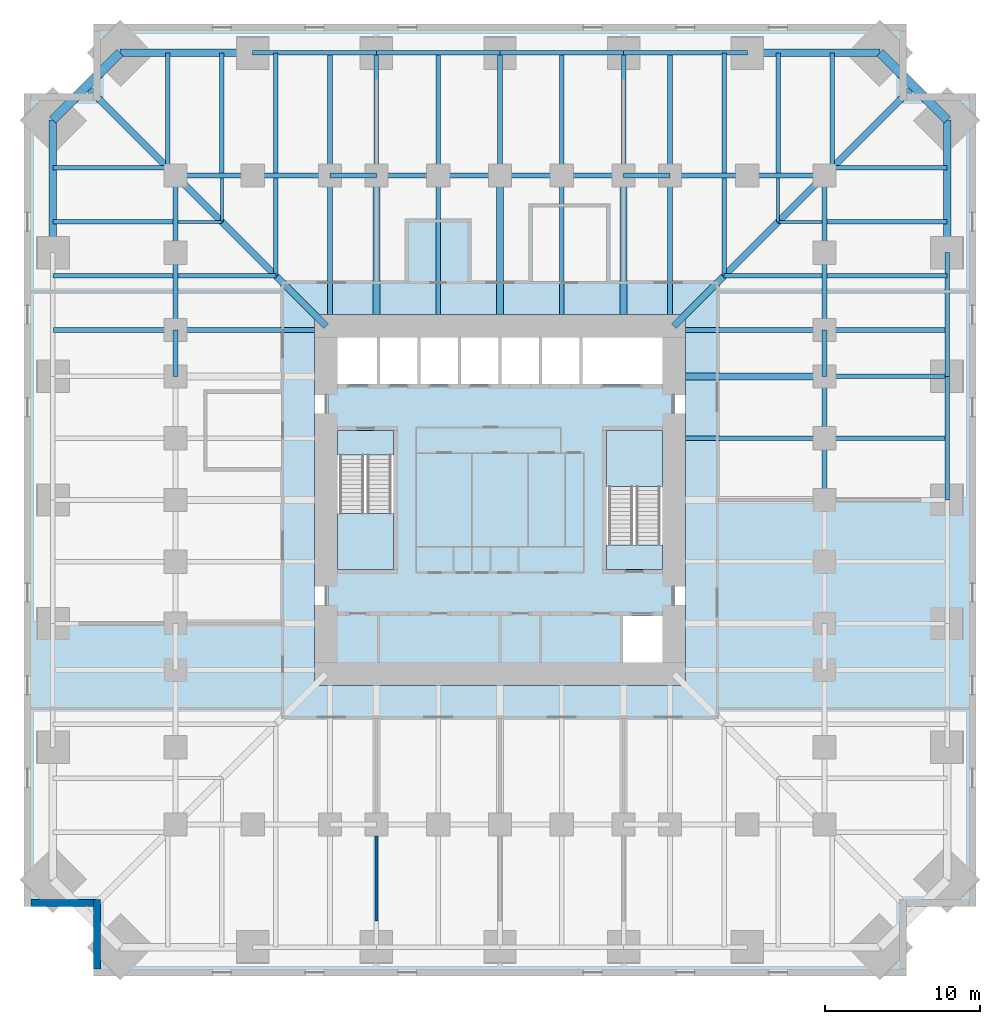
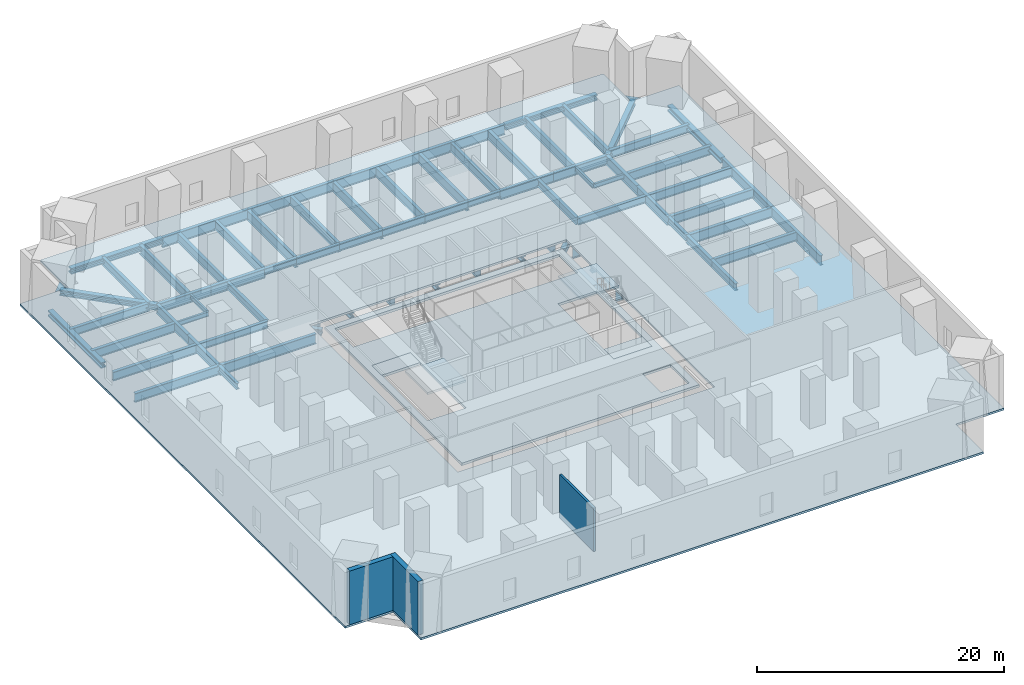
# One storey, part 2 of 8: 76 beams, 6 slabs, 3 walls, 2 elements without a shape of their own.
"""IFC4 building model written with IfcOpenShell, lengths in metres."""

from ifc_helpers import new_model, si_unit, direction, frame, frame_2d, origin, origin_2d, place, context, subcontext, project, spatial, polyline, rectangle, hollow_rectangle, i_section, outline, extrude, material, layer, layer_set, material_profile, profile_set, type_object, element, aggregate, save


model = new_model("IFC4")

# Units and contexts
model_context = context("Model", 3, precision=1e-05, world=origin(), true_north=direction((0.0, 1.0)))
body_context = subcontext(model_context, "Body", "Model", "MODEL_VIEW")
ifc_project = project(units=[si_unit("LENGTHUNIT", "METRE"), si_unit("AREAUNIT", "SQUARE_METRE"), si_unit("VOLUMEUNIT", "CUBIC_METRE"), si_unit("PLANEANGLEUNIT", "RADIAN"), si_unit("MASSUNIT", "GRAM", prefix="KILO")], contexts=[model_context])

# Site, building, storey
site_placement = place(None, origin())
site = spatial("IfcSite", under=ifc_project, at=site_placement, CompositionType="ELEMENT")
building_placement = place(site_placement, origin())
building = spatial("IfcBuilding", under=site, at=building_placement, Name="Peilmerk Tower", CompositionType="ELEMENT")
storey_placement = place(building_placement, frame((0.0, 0.0, 48.5)))
storey = spatial("IfcBuildingStorey", under=building, at=storey_placement, Name="L09", CompositionType="ELEMENT", Elevation=48.5)

# Beams
ifc_material_1 = material(Name="Steel S355", Category="steel")
ifc_material_profile_1 = material_profile(ifc_material_1, i_section(OverallWidth=0.300048828125, OverallDepth=1.0, WebThickness=0.01904296875, FlangeThickness=0.035888671875, at=origin_2d()), Name="HEB 1000")
ifc_profile_set_1 = profile_set([ifc_material_profile_1], Name="Steel S355")
beam_type_1 = type_object("IfcBeamType", Name="B13 HEB 1000 edge beam", PredefinedType="SPANDREL", material=ifc_profile_set_1)
for number, where, z_axis, x_axis, name in (
    (1, (16.0, 28.941162109375, -0.699951171875), (-1.0, 0.0, 0.0), (0.0, -1.0, 0.0), "Edge beam L09"),
    (2, (8.0, 28.941162109375, -0.699951171875), (-1.0, 0.0, 0.0), (0.0, -1.0, 0.0), "Edge beam L09"),
    (3, (0.0, 28.941162109375, -0.699951171875), (-1.0, 0.0, 0.0), (0.0, -1.0, 0.0), "Edge beam L09"),
    (4, (-8.0, 28.941162109375, -0.699951171875), (-1.0, 0.0, 0.0), (0.0, -1.0, 0.0), "Edge beam L09"),
    (5, (28.941162109375, 0.0, -0.699951171875), (0.0, 1.0, 0.0), (-1.0, 0.0, 0.0), "Edge beam L09"),
    (6, (28.941162109375, 8.0, -0.699951171875), (0.0, 1.0, 0.0), (-1.0, 0.0, 0.0), "Edge beam L09"),
):
    element("IfcBeam", number, at=place(storey_placement, frame(where, z_axis=z_axis, x_axis=x_axis)), inside=storey, type_object=beam_type_1, Name=name, PredefinedType="SPANDREL", context=body_context, shape_type="SweptSolid", body=[
        extrude(i_section(OverallWidth=0.300048828125, OverallDepth=1.0, WebThickness=0.01904296875, FlangeThickness=0.035888671875, at=origin_2d()), origin(), (0.0, 0.0, 1.0), 8.0),
    ])
ifc_material_profile_2 = material_profile(ifc_material_1, i_section(OverallWidth=0.300048828125, OverallDepth=0.68994140625, WebThickness=0.014404296875, FlangeThickness=0.027099609375, at=origin_2d()), Name="HEA 700")
ifc_profile_set_2 = profile_set([ifc_material_profile_2], Name="Steel S355")
beam_type_2 = type_object("IfcBeamType", Name="B16 HEA 700 floor beam", PredefinedType="BEAM", material=ifc_profile_set_2)
for number, where, z_axis, x_axis, name in (
    (7, (14.5, 14.5, -0.544921875), (0.0, 1.0, 0.0), (-1.0, 0.0, 0.0), "Floor beam L09"),
    (8, (14.5, 14.5, -0.544921875), (1.0, 0.0, 0.0), (0.0, 1.0, 0.0), "Floor beam L09"),
    (9, (-14.5, 14.5, -0.544921875), (0.0, 1.0, 0.0), (-1.0, 0.0, 0.0), "Floor beam L09"),
    (10, (-14.5, 14.5, -0.544921875), (-1.0, 0.0, 0.0), (0.0, -1.0, 0.0), "Floor beam L09"),
):
    element("IfcBeam", number, at=place(storey_placement, frame(where, z_axis=z_axis, x_axis=x_axis)), inside=storey, type_object=beam_type_2, Name=name, PredefinedType="BEAM", context=body_context, shape_type="SweptSolid", body=[
        extrude(i_section(OverallWidth=0.300048828125, OverallDepth=0.68994140625, WebThickness=0.014404296875, FlangeThickness=0.027099609375, at=origin_2d()), origin(), (0.0, 0.0, 1.0), 6.34912109375),
    ])
ifc_material_profile_3 = material_profile(ifc_material_1, i_section(OverallWidth=0.302001953125, OverallDepth=0.909912109375, WebThickness=0.02099609375, FlangeThickness=0.0400390625, at=origin_2d()), Name="HEM 900")
ifc_profile_set_3 = profile_set([ifc_material_profile_3], Name="Steel S355")
beam_type_3 = type_object("IfcBeamType", Name="B18 HEM 900 ring girder", PredefinedType="BEAM", material=ifc_profile_set_3)
for number, where, z_axis, x_axis, name in (
    (11, (21.0, 21.0, -0.655029296875), (-1.0, 0.0, 0.0), (0.0, -1.0, 0.0), "Ring girder L09"),
    (12, (16.0, 21.0, -0.655029296875), (-1.0, 0.0, 0.0), (0.0, -1.0, 0.0), "Ring girder L09"),
    (13, (-11.0, 21.0, -0.655029296875), (-1.0, 0.0, 0.0), (0.0, -1.0, 0.0), "Ring girder L09"),
    (14, (-16.0, 21.0, -0.655029296875), (-1.0, 0.0, 0.0), (0.0, -1.0, 0.0), "Ring girder L09"),
    (15, (21.0, 11.0, -0.655029296875), (0.0, 1.0, 0.0), (-1.0, 0.0, 0.0), "Ring girder L09"),
    (16, (21.0, 16.0, -0.655029296875), (0.0, 1.0, 0.0), (-1.0, 0.0, 0.0), "Ring girder L09"),
    (17, (-21.0, 21.0, -0.655029296875), (0.0, -1.0, 0.0), (1.0, 0.0, 0.0), "Ring girder L09"),
    (18, (-21.0, 16.0, -0.655029296875), (0.0, -1.0, 0.0), (1.0, 0.0, 0.0), "Ring girder L09"),
):
    element("IfcBeam", number, at=place(storey_placement, frame(where, z_axis=z_axis, x_axis=x_axis)), inside=storey, type_object=beam_type_3, Name=name, PredefinedType="BEAM", context=body_context, shape_type="SweptSolid", body=[
        extrude(i_section(OverallWidth=0.302001953125, OverallDepth=0.909912109375, WebThickness=0.02099609375, FlangeThickness=0.0400390625, at=origin_2d()), origin(), (0.0, 0.0, 1.0), 5.0),
    ])
ifc_material_profile_4 = material_profile(ifc_material_1, i_section(OverallWidth=0.303955078125, OverallDepth=0.716064453125, WebThickness=0.02099609375, FlangeThickness=0.0400390625, at=origin_2d()), Name="HEM 700")
ifc_profile_set_4 = profile_set([ifc_material_profile_4], Name="Steel S355")
beam_type_4 = type_object("IfcBeamType", Name="B19 HEM 700 ring girder", PredefinedType="BEAM", material=ifc_profile_set_4)
for number, where, z_axis, x_axis, name in (
    (19, (8.0, 21.0, -0.55810546875), (-1.0, 0.0, 0.0), (0.0, -1.0, 0.0), "Ring girder L09"),
    (20, (4.0, 21.0, -0.55810546875), (-1.0, 0.0, 0.0), (0.0, -1.0, 0.0), "Ring girder L09"),
    (21, (0.0, 21.0, -0.55810546875), (-1.0, 0.0, 0.0), (0.0, -1.0, 0.0), "Ring girder L09"),
    (22, (-4.0, 21.0, -0.55810546875), (-1.0, 0.0, 0.0), (0.0, -1.0, 0.0), "Ring girder L09"),
    (23, (21.0, 0.0, -0.55810546875), (0.0, 1.0, 0.0), (-1.0, 0.0, 0.0), "Ring girder L09"),
    (24, (21.0, 4.0, -0.55810546875), (0.0, 1.0, 0.0), (-1.0, 0.0, 0.0), "Ring girder L09"),
):
    element("IfcBeam", number, at=place(storey_placement, frame(where, z_axis=z_axis, x_axis=x_axis)), inside=storey, type_object=beam_type_4, Name=name, PredefinedType="BEAM", context=body_context, shape_type="SweptSolid", body=[
        extrude(i_section(OverallWidth=0.303955078125, OverallDepth=0.716064453125, WebThickness=0.02099609375, FlangeThickness=0.0400390625, at=origin_2d()), origin(), (0.0, 0.0, 1.0), 4.0),
    ])
ifc_material_2 = material(Name="Steel S460", Category="steel")
ifc_material_profile_5 = material_profile(ifc_material_2, hollow_rectangle(XDim=0.60009765625, YDim=0.60009765625, WallThickness=0.06005859375, at=origin_2d()), Name="BOX 600x600x60")
ifc_profile_set_5 = profile_set([ifc_material_profile_5], Name="Steel S460")
beam_type_5 = type_object("IfcBeamType", Name="B20 BOX 600x600x60 notch beam", PredefinedType="SPANDREL", material=ifc_profile_set_5)
for number, where, z_axis, x_axis, name in (
    (25, (24.591064453125, 28.941162109375, -0.5), (0.707106781187, -0.707106781187, 0.0), (0.707106781187, 0.707106781187, 0.0), "Notch beam L09"),
    (26, (-28.941162109375, 24.591064453125, -0.5), (0.707106781187, 0.707106781187, 0.0), (-0.707106781187, 0.707106781187, 0.0), "Notch beam L09"),
):
    element("IfcBeam", number, at=place(storey_placement, frame(where, z_axis=z_axis, x_axis=x_axis)), inside=storey, type_object=beam_type_5, Name=name, PredefinedType="SPANDREL", context=body_context, shape_type="SweptSolid", body=[
        extrude(hollow_rectangle(XDim=0.60009765625, YDim=0.60009765625, WallThickness=0.06005859375, at=origin_2d()), origin(), (0.0, 0.0, 1.0), 6.15185546875),
    ])
ifc_material_profile_6 = material_profile(ifc_material_1, i_section(OverallWidth=0.18994140625, OverallDepth=0.449951171875, WebThickness=0.009521484375, FlangeThickness=0.0146484375, at=origin_2d()), Name="IPE 450")
ifc_profile_set_6 = profile_set([ifc_material_profile_6], Name="Steel S355")
beam_type_6 = type_object("IfcBeamType", Name="B21 IPE 450 floor beam", PredefinedType="BEAM", material=ifc_profile_set_6)
for number, where, z_axis, x_axis, name in (
    (27, (18.0, 18.0, -0.425048828125), (0.0, 1.0, 0.0), (-1.0, 0.0, 0.0), "Floor beam L09"),
    (28, (18.0, 18.0, -0.425048828125), (1.0, 0.0, 0.0), (0.0, 1.0, 0.0), "Floor beam L09"),
    (29, (-18.0, 18.0, -0.425048828125), (0.0, 1.0, 0.0), (-1.0, 0.0, 0.0), "Floor beam L09"),
    (30, (-18.0, 18.0, -0.425048828125), (-1.0, 0.0, 0.0), (0.0, -1.0, 0.0), "Floor beam L09"),
):
    element("IfcBeam", number, at=place(storey_placement, frame(where, z_axis=z_axis, x_axis=x_axis)), inside=storey, type_object=beam_type_6, Name=name, PredefinedType="BEAM", context=body_context, shape_type="SweptSolid", body=[
        extrude(i_section(OverallWidth=0.18994140625, OverallDepth=0.449951171875, WebThickness=0.009521484375, FlangeThickness=0.0146484375, at=origin_2d()), origin(), (0.0, 0.0, 1.0), 2.84912109375),
    ])
ifc_material_profile_7 = material_profile(ifc_material_1, i_section(OverallWidth=0.4541015625, OverallDepth=0.569091796875, WebThickness=0.077880859375, FlangeThickness=0.125, at=origin_2d()), Name="HD 400x1086")
ifc_profile_set_7 = profile_set([ifc_material_profile_7], Name="Steel S355")
beam_type_7 = type_object("IfcBeamType", Name="B23 HD 400x1086 edge beam", PredefinedType="SPANDREL", material=ifc_profile_set_7)
for number, where, z_axis, x_axis, name in (
    (31, (24.591064453125, 28.941162109375, -0.484619140625), (-1.0, 0.0, 0.0), (0.0, -1.0, 0.0), "Edge beam L09"),
    (32, (-16.0, 28.941162109375, -0.484619140625), (-1.0, 0.0, 0.0), (0.0, -1.0, 0.0), "Edge beam L09"),
    (33, (28.941162109375, 16.0, -0.484619140625), (0.0, 1.0, 0.0), (-1.0, 0.0, 0.0), "Edge beam L09"),
    (34, (-28.941162109375, 24.591064453125, -0.484619140625), (0.0, -1.0, 0.0), (1.0, 0.0, 0.0), "Edge beam L09"),
):
    element("IfcBeam", number, at=place(storey_placement, frame(where, z_axis=z_axis, x_axis=x_axis)), inside=storey, type_object=beam_type_7, Name=name, PredefinedType="SPANDREL", context=body_context, shape_type="SweptSolid", body=[
        extrude(i_section(OverallWidth=0.4541015625, OverallDepth=0.569091796875, WebThickness=0.077880859375, FlangeThickness=0.125, at=origin_2d()), origin(), (0.0, 0.0, 1.0), 8.591064453125),
    ])
ifc_material_profile_8 = material_profile(ifc_material_1, i_section(OverallWidth=0.302001953125, OverallDepth=1.008056640625, WebThickness=0.02099609375, FlangeThickness=0.0400390625, at=origin_2d()), Name="HEM 1000")
ifc_profile_set_8 = profile_set([ifc_material_profile_8], Name="Steel S355")
beam_type_8 = type_object("IfcBeamType", Name="B24 HEM 1000 floor girder", PredefinedType="BEAM", material=ifc_profile_set_8)
for number, where, z_axis, x_axis, name in (
    (35, (8.0, 21.0, -0.7041015625), (0.0, 1.0, 0.0), (-1.0, 0.0, 0.0), "Floor girder L09"),
    (36, (0.0, 21.0, -0.7041015625), (0.0, 1.0, 0.0), (-1.0, 0.0, 0.0), "Floor girder L09"),
    (37, (-8.0, 21.0, -0.7041015625), (0.0, 1.0, 0.0), (-1.0, 0.0, 0.0), "Floor girder L09"),
    (38, (21.0, 8.0, -0.7041015625), (1.0, 0.0, 0.0), (0.0, 1.0, 0.0), "Floor girder L09"),
):
    element("IfcBeam", number, at=place(storey_placement, frame(where, z_axis=z_axis, x_axis=x_axis)), inside=storey, type_object=beam_type_8, Name=name, PredefinedType="BEAM", context=body_context, shape_type="SweptSolid", body=[
        extrude(i_section(OverallWidth=0.302001953125, OverallDepth=1.008056640625, WebThickness=0.02099609375, FlangeThickness=0.0400390625, at=origin_2d()), origin(), (0.0, 0.0, 1.0), 7.941162109375),
    ])
ifc_material_profile_9 = material_profile(ifc_material_1, i_section(OverallWidth=0.300048828125, OverallDepth=0.7900390625, WebThickness=0.014892578125, FlangeThickness=0.028076171875, at=origin_2d()), Name="HEA 800")
ifc_profile_set_9 = profile_set([ifc_material_profile_9], Name="Steel S355")
beam_type_9 = type_object("IfcBeamType", Name="B3 HEA 800 floor beam", PredefinedType="BEAM", material=ifc_profile_set_9)
for number, where, z_axis, x_axis, name in (
    (39, (21.5, 21.5, -0.594970703125), (0.0, 1.0, 0.0), (-1.0, 0.0, 0.0), "Floor beam L09"),
    (40, (21.5, 21.5, -0.594970703125), (1.0, 0.0, 0.0), (0.0, 1.0, 0.0), "Floor beam L09"),
    (41, (-21.5, 21.5, -0.594970703125), (0.0, 1.0, 0.0), (-1.0, 0.0, 0.0), "Floor beam L09"),
    (42, (-21.5, 21.5, -0.594970703125), (-1.0, 0.0, 0.0), (0.0, -1.0, 0.0), "Floor beam L09"),
):
    element("IfcBeam", number, at=place(storey_placement, frame(where, z_axis=z_axis, x_axis=x_axis)), inside=storey, type_object=beam_type_9, Name=name, PredefinedType="BEAM", context=body_context, shape_type="SweptSolid", body=[
        extrude(i_section(OverallWidth=0.300048828125, OverallDepth=0.7900390625, WebThickness=0.014892578125, FlangeThickness=0.028076171875, at=origin_2d()), origin(), (0.0, 0.0, 1.0), 7.441162109375),
    ])
ifc_material_profile_10 = material_profile(ifc_material_1, i_section(OverallWidth=0.300048828125, OverallDepth=0.889892578125, WebThickness=0.01611328125, FlangeThickness=0.030029296875, at=origin_2d()), Name="HEA 900")
ifc_profile_set_10 = profile_set([ifc_material_profile_10], Name="Steel S355")
beam_type_10 = type_object("IfcBeamType", Name="B4 HEA 900 floor beam", PredefinedType="BEAM", material=ifc_profile_set_10)
for number, where, z_axis, x_axis, name in (
    (43, (11.0, 21.0, -0.64501953125), (0.0, 1.0, 0.0), (-1.0, 0.0, 0.0), "Floor beam L09"),
    (44, (4.0, 21.0, -0.64501953125), (0.0, 1.0, 0.0), (-1.0, 0.0, 0.0), "Floor beam L09"),
    (45, (-4.0, 21.0, -0.64501953125), (0.0, 1.0, 0.0), (-1.0, 0.0, 0.0), "Floor beam L09"),
    (46, (-11.0, 21.0, -0.64501953125), (0.0, 1.0, 0.0), (-1.0, 0.0, 0.0), "Floor beam L09"),
    (47, (21.0, 4.0, -0.64501953125), (1.0, 0.0, 0.0), (0.0, 1.0, 0.0), "Floor beam L09"),
    (48, (21.0, 11.0, -0.64501953125), (1.0, 0.0, 0.0), (0.0, 1.0, 0.0), "Floor beam L09"),
    (49, (-21.0, 11.0, -0.64501953125), (-1.0, 0.0, 0.0), (0.0, -1.0, 0.0), "Floor beam L09"),
):
    element("IfcBeam", number, at=place(storey_placement, frame(where, z_axis=z_axis, x_axis=x_axis)), inside=storey, type_object=beam_type_10, Name=name, PredefinedType="BEAM", context=body_context, shape_type="SweptSolid", body=[
        extrude(i_section(OverallWidth=0.300048828125, OverallDepth=0.889892578125, WebThickness=0.01611328125, FlangeThickness=0.030029296875, at=origin_2d()), origin(), (0.0, 0.0, 1.0), 7.941162109375),
    ])
for number, where, z_axis, x_axis, name in (
    (50, (14.5, 21.15087890625, -0.64501953125), (0.0, 1.0, 0.0), (-1.0, 0.0, 0.0), "Floor beam L09"),
    (51, (21.15087890625, 14.5, -0.64501953125), (1.0, 0.0, 0.0), (0.0, 1.0, 0.0), "Floor beam L09"),
    (52, (18.0, 21.15087890625, -0.64501953125), (0.0, 1.0, 0.0), (-1.0, 0.0, 0.0), "Floor beam L09"),
    (53, (21.15087890625, 18.0, -0.64501953125), (1.0, 0.0, 0.0), (0.0, 1.0, 0.0), "Floor beam L09"),
    (54, (-14.5, 21.15087890625, -0.64501953125), (0.0, 1.0, 0.0), (-1.0, 0.0, 0.0), "Floor beam L09"),
    (55, (-21.15087890625, 14.5, -0.64501953125), (-1.0, 0.0, 0.0), (0.0, -1.0, 0.0), "Floor beam L09"),
    (56, (-18.0, 21.15087890625, -0.64501953125), (0.0, 1.0, 0.0), (-1.0, 0.0, 0.0), "Floor beam L09"),
    (57, (-21.15087890625, 18.0, -0.64501953125), (-1.0, 0.0, 0.0), (0.0, -1.0, 0.0), "Floor beam L09"),
):
    element("IfcBeam", number, at=place(storey_placement, frame(where, z_axis=z_axis, x_axis=x_axis)), inside=storey, type_object=beam_type_10, Name=name, PredefinedType="BEAM", context=body_context, shape_type="SweptSolid", body=[
        extrude(i_section(OverallWidth=0.300048828125, OverallDepth=0.889892578125, WebThickness=0.01611328125, FlangeThickness=0.030029296875, at=origin_2d()), origin(), (0.0, 0.0, 1.0), 7.790283203125),
    ])
ifc_material_profile_11 = material_profile(ifc_material_1, i_section(OverallWidth=0.300048828125, OverallDepth=1.0, WebThickness=0.01904296875, FlangeThickness=0.035888671875, at=origin_2d()), Name="HEB 1000")
ifc_profile_set_11 = profile_set([ifc_material_profile_11], Name="Steel S355")
beam_type_11 = type_object("IfcBeamType", Name="B5 HEB 1000 floor girder", PredefinedType="BEAM", material=ifc_profile_set_11)
for number, where, z_axis, x_axis, name in (
    (58, (11.0, 12.0, -0.699951171875), (0.0, 1.0, 0.0), (-1.0, 0.0, 0.0), "Floor beam L09"),
    (59, (4.0, 12.0, -0.699951171875), (0.0, 1.0, 0.0), (-1.0, 0.0, 0.0), "Floor beam L09"),
    (60, (-4.0, 12.0, -0.699951171875), (0.0, 1.0, 0.0), (-1.0, 0.0, 0.0), "Floor beam L09"),
    (61, (-11.0, 12.0, -0.699951171875), (0.0, 1.0, 0.0), (-1.0, 0.0, 0.0), "Floor beam L09"),
    (62, (12.0, 4.0, -0.699951171875), (1.0, 0.0, 0.0), (0.0, 1.0, 0.0), "Floor beam L09"),
    (63, (12.0, 11.0, -0.699951171875), (1.0, 0.0, 0.0), (0.0, 1.0, 0.0), "Floor beam L09"),
    (64, (-12.0, 11.0, -0.699951171875), (-1.0, 0.0, 0.0), (0.0, -1.0, 0.0), "Floor beam L09"),
):
    element("IfcBeam", number, at=place(storey_placement, frame(where, z_axis=z_axis, x_axis=x_axis)), inside=storey, type_object=beam_type_11, Name=name, PredefinedType="BEAM", context=body_context, shape_type="SweptSolid", body=[
        extrude(i_section(OverallWidth=0.300048828125, OverallDepth=1.0, WebThickness=0.01904296875, FlangeThickness=0.035888671875, at=origin_2d()), origin(), (0.0, 0.0, 1.0), 9.0),
    ])
ifc_material_profile_12 = material_profile(ifc_material_1, i_section(OverallWidth=0.304931640625, OverallDepth=0.6201171875, WebThickness=0.02099609375, FlangeThickness=0.0400390625, at=origin_2d()), Name="HEM 600")
ifc_profile_set_12 = profile_set([ifc_material_profile_12], Name="Steel S355")
beam_type_12 = type_object("IfcBeamType", Name="B6 HEM 600 ring girder", PredefinedType="BEAM", material=ifc_profile_set_12)
for number, where, z_axis, x_axis, name in (
    (65, (11.0, 21.0, -0.510009765625), (-1.0, 0.0, 0.0), (0.0, -1.0, 0.0), "Ring girder L09"),
    (66, (-8.0, 21.0, -0.510009765625), (-1.0, 0.0, 0.0), (0.0, -1.0, 0.0), "Ring girder L09"),
    (67, (21.0, 8.0, -0.510009765625), (0.0, 1.0, 0.0), (-1.0, 0.0, 0.0), "Ring girder L09"),
    (68, (-21.0, 11.0, -0.510009765625), (0.0, -1.0, 0.0), (1.0, 0.0, 0.0), "Ring girder L09"),
):
    element("IfcBeam", number, at=place(storey_placement, frame(where, z_axis=z_axis, x_axis=x_axis)), inside=storey, type_object=beam_type_12, Name=name, PredefinedType="BEAM", context=body_context, shape_type="SweptSolid", body=[
        extrude(i_section(OverallWidth=0.304931640625, OverallDepth=0.6201171875, WebThickness=0.02099609375, FlangeThickness=0.0400390625, at=origin_2d()), origin(), (0.0, 0.0, 1.0), 3.0),
    ])
ifc_material_profile_13 = material_profile(ifc_material_2, i_section(OverallWidth=0.4541015625, OverallDepth=0.569091796875, WebThickness=0.077880859375, FlangeThickness=0.125, at=origin_2d()), Name="HD 400x1086")
ifc_profile_set_13 = profile_set([ifc_material_profile_13], Name="Steel S460")
beam_type_13 = type_object("IfcBeamType", Name="B9 HD 400x1086 corner girder", PredefinedType="BEAM", material=ifc_profile_set_13)
for number, where, z_axis, x_axis, name in (
    (69, (8.0, 12.0, -0.484619140625), (0.0, 1.0, 0.0), (-1.0, 0.0, 0.0), "Floor girder L09"),
    (70, (0.0, 12.0, -0.484619140625), (0.0, 1.0, 0.0), (-1.0, 0.0, 0.0), "Floor girder L09"),
    (71, (-8.0, 12.0, -0.484619140625), (0.0, 1.0, 0.0), (-1.0, 0.0, 0.0), "Floor girder L09"),
    (72, (12.0, 8.0, -0.484619140625), (1.0, 0.0, 0.0), (0.0, 1.0, 0.0), "Floor girder L09"),
):
    element("IfcBeam", number, at=place(storey_placement, frame(where, z_axis=z_axis, x_axis=x_axis)), inside=storey, type_object=beam_type_13, Name=name, PredefinedType="BEAM", context=body_context, shape_type="SweptSolid", body=[
        extrude(i_section(OverallWidth=0.4541015625, OverallDepth=0.569091796875, WebThickness=0.077880859375, FlangeThickness=0.125, at=origin_2d()), origin(), (0.0, 0.0, 1.0), 9.0),
    ])
beam_1_placement = place(storey_placement, frame((11.25, 11.25, -0.484619140625), z_axis=(0.707106781187, 0.707106781187, 0.0), x_axis=(-0.707106781187, 0.707106781187, 0.0)))
element("IfcBeam", 73, at=beam_1_placement, inside=storey, type_object=beam_type_13, Name="Corner girder L09", PredefinedType="BEAM", context=body_context, shape_type="SweptSolid", body=[
    extrude(i_section(OverallWidth=0.4541015625, OverallDepth=0.569091796875, WebThickness=0.077880859375, FlangeThickness=0.125, at=origin_2d()), origin(), (0.0, 0.0, 1.0), 13.78857421875),
])
beam_2_placement = place(storey_placement, frame((21.0, 21.0, -0.484619140625), z_axis=(0.707106781187, 0.707106781187, 0.0), x_axis=(-0.707106781187, 0.707106781187, 0.0)))
element("IfcBeam", 74, at=beam_2_placement, inside=storey, type_object=beam_type_13, Name="Corner girder L09", PredefinedType="BEAM", context=body_context, shape_type="SweptSolid", body=[
    extrude(i_section(OverallWidth=0.4541015625, OverallDepth=0.569091796875, WebThickness=0.077880859375, FlangeThickness=0.125, at=origin_2d()), origin(), (0.0, 0.0, 1.0), 8.154541015625),
])
beam_3_placement = place(storey_placement, frame((-11.25, 11.25, -0.484619140625), z_axis=(-0.707106781187, 0.707106781187, 0.0), x_axis=(-0.707106781187, -0.707106781187, 0.0)))
element("IfcBeam", 75, at=beam_3_placement, inside=storey, type_object=beam_type_13, Name="Corner girder L09", PredefinedType="BEAM", context=body_context, shape_type="SweptSolid", body=[
    extrude(i_section(OverallWidth=0.4541015625, OverallDepth=0.569091796875, WebThickness=0.077880859375, FlangeThickness=0.125, at=origin_2d()), origin(), (0.0, 0.0, 1.0), 13.78857421875),
])
beam_4_placement = place(storey_placement, frame((-21.0, 21.0, -0.484619140625), z_axis=(-0.707106781187, 0.707106781187, 0.0), x_axis=(-0.707106781187, -0.707106781187, 0.0)))
element("IfcBeam", 76, at=beam_4_placement, inside=storey, type_object=beam_type_13, Name="Corner girder L09", PredefinedType="BEAM", context=body_context, shape_type="SweptSolid", body=[
    extrude(i_section(OverallWidth=0.4541015625, OverallDepth=0.569091796875, WebThickness=0.077880859375, FlangeThickness=0.125, at=origin_2d()), origin(), (0.0, 0.0, 1.0), 8.154541015625),
])

# Slabs
ifc_material_3 = material(Name="Concrete C55/67", Category="concrete")
ifc_layer_1 = layer(ifc_material_3, 0.25)
ifc_layer_set_1 = layer_set([ifc_layer_1], Name="Concrete C55/67")
slab_type_1 = type_object("IfcSlabType", Name="CS250 250 core floor slab", PredefinedType="FLOOR", material=ifc_layer_set_1)
slab_1_placement = place(storey_placement, frame((0.0, 0.0, -0.25)))
element("IfcSlab", 77, at=slab_1_placement, inside=storey, type_object=slab_type_1, Name="Core slab L09", PredefinedType="FLOOR", context=body_context, shape_type="SweptSolid", body=[
    extrude(outline(polyline([(-11.10009765625, 11.10009765625), (-11.10009765625, -11.10009765625), (11.10009765625, -11.10009765625), (11.10009765625, 11.10009765625), (-11.10009765625, 11.10009765625)]), holes=[polyline([(10.5, 7.5), (-10.5, 7.5), (-10.5, 10.5), (10.5, 10.5), (10.5, 7.5)]), polyline([(7.875, -10.5), (7.875, -7.5), (10.5, -7.5), (10.5, -10.5), (7.875, -10.5)]), polyline([(-10.5, 4.5), (-6.89990234375, 4.5), (-6.89990234375, -4.5), (-10.5, -4.5), (-10.5, 4.5)]), polyline([(10.5, 4.5), (10.5, -4.5), (6.89990234375, -4.5), (6.89990234375, 4.5), (10.5, 4.5)])]), origin(), (0.0, 0.0, 1.0), 0.25),
])
ifc_material_4 = material(Name="Concrete C35/45", Category="concrete")
ifc_layer_2 = layer(ifc_material_4, 0.199951171875)
ifc_layer_set_2 = layer_set([ifc_layer_2], Name="Concrete C35/45")
slab_type_2 = type_object("IfcSlabType", Name="FS200 200 composite floor slab", PredefinedType="FLOOR", material=ifc_layer_set_2)
slab_2_placement = place(storey_placement, frame((0.0, 0.0, -0.199951171875)))
element("IfcSlab", 78, at=slab_2_placement, inside=storey, type_object=slab_type_2, Name="Floor slab L09", PredefinedType="FLOOR", context=body_context, shape_type="SweptSolid", body=[
    extrude(outline(polyline([(-26.300048828125, -30.800048828125), (26.300048828125, -30.800048828125), (26.300048828125, -26.300048828125), (30.800048828125, -26.300048828125), (30.800048828125, 26.300048828125), (26.300048828125, 26.300048828125), (26.300048828125, 30.800048828125), (-26.300048828125, 30.800048828125), (-26.300048828125, 26.300048828125), (-30.800048828125, 26.300048828125), (-30.800048828125, -26.300048828125), (-26.300048828125, -26.300048828125), (-26.300048828125, -30.800048828125)]), holes=[polyline([(12.0, 12.0), (12.0, -12.0), (-12.0, -12.0), (-12.0, 12.0), (12.0, 12.0)])]), origin(), (0.0, 0.0, 1.0), 0.199951171875),
])

# Stair, slab
ifc_material_5 = material(Name="Precast concrete C45/55", Category="concrete")
stair_type_1 = type_object("IfcStairType", Name="ST1 30 risers of 183.3", PredefinedType="HALF_TURN_STAIR", material=ifc_material_5)
stair_1_placement = place(storey_placement, origin())
stair_1 = element("IfcStair", 79, at=stair_1_placement, inside=storey, type_object=stair_type_1, Name="Stair 1 L09 to L10", PredefinedType="HALF_TURN_STAIR")
ifc_layer_3 = layer(ifc_material_4, 0.199951171875)
ifc_layer_set_3 = layer_set([ifc_layer_3], Name="Concrete C35/45")
slab_type_3 = type_object("IfcSlabType", Name="SL1 200 concrete stair landing", PredefinedType="LANDING", material=ifc_layer_set_3)
slab_3_placement = place(storey_placement, frame((0.0, 0.0, 2.550048828125)))
slab_3 = element("IfcSlab", 80, at=slab_3_placement, type_object=slab_type_3, Name="ST1 landing 1", PredefinedType="LANDING", context=body_context, shape_type="SweptSolid", body=[
    extrude(outline(polyline([(-10.5, -4.5), (-6.89990234375, -4.5), (-6.89990234375, -0.8798828125), (-10.5, -0.8798828125), (-10.5, -4.5)])), origin(), (0.0, 0.0, 1.0), 0.199951171875),
])

stair_type_2 = type_object("IfcStairType", Name="ST2 30 risers of 183.3", PredefinedType="HALF_TURN_STAIR", material=ifc_material_5)
stair_2_placement = place(storey_placement, origin())
stair_2 = element("IfcStair", 81, at=stair_2_placement, inside=storey, type_object=stair_type_2, Name="Stair 2 L09 to L10", PredefinedType="HALF_TURN_STAIR")
slab_4_placement = place(storey_placement, frame((0.0, 0.0, 2.550048828125)))
slab_4 = element("IfcSlab", 82, at=slab_4_placement, type_object=slab_type_3, Name="ST2 landing 1", PredefinedType="LANDING", context=body_context, shape_type="SweptSolid", body=[
    extrude(outline(polyline([(6.89990234375, 0.8798828125), (10.5, 0.8798828125), (10.5, 4.5), (6.89990234375, 4.5), (6.89990234375, 0.8798828125)])), origin(), (0.0, 0.0, 1.0), 0.199951171875),
])

# Slab
ifc_layer_4 = layer(ifc_material_4, 0.25)
ifc_layer_set_4 = layer_set([ifc_layer_4], Name="Concrete C35/45")
slab_type_4 = type_object("IfcSlabType", Name="SL2 250 concrete floor landing", PredefinedType="LANDING", material=ifc_layer_set_4)
slab_5_placement = place(storey_placement, frame((0.0, 0.0, -0.25)))
slab_5 = element("IfcSlab", 83, at=slab_5_placement, type_object=slab_type_4, Name="ST1 floor landing", PredefinedType="LANDING", context=body_context, shape_type="SweptSolid", body=[
    extrude(outline(polyline([(-10.5, 2.89990234375), (-6.89990234375, 2.89990234375), (-6.89990234375, 4.5), (-10.5, 4.5), (-10.5, 2.89990234375)])), origin(), (0.0, 0.0, 1.0), 0.25),
])

aggregate(stair_1, [slab_3, slab_5])

slab_6_placement = place(storey_placement, frame((0.0, 0.0, -0.25)))
slab_6 = element("IfcSlab", 84, at=slab_6_placement, type_object=slab_type_4, Name="ST2 floor landing", PredefinedType="LANDING", context=body_context, shape_type="SweptSolid", body=[
    extrude(outline(polyline([(6.89990234375, -4.5), (10.5, -4.5), (10.5, -2.89990234375), (6.89990234375, -2.89990234375), (6.89990234375, -4.5)])), origin(), (0.0, 0.0, 1.0), 0.25),
])

aggregate(stair_2, [slab_4, slab_6])

# Walls
ifc_material_6 = material(Name="Precast concrete C45/55, board-marked finish", Category="concrete")
ifc_layer_5 = layer(ifc_material_6, 0.449951171875)
ifc_layer_set_5 = layer_set([ifc_layer_5], Name="Precast concrete C45/55, board-marked finish")
wall_type_1 = type_object("IfcWallType", Name="EW1 450 precast concrete facade wall, board-marked", PredefinedType="SOLIDWALL", material=ifc_layer_set_5)
wall_1_placement = place(storey_placement, frame((-26.074951171875, -25.85009765625, 0.0), z_axis=(0.0, 0.0, 1.0), x_axis=(0.0, -1.0, 0.0)))
element("IfcWall", 85, at=wall_1_placement, inside=storey, type_object=wall_type_1, Name="Facade wall SWA L09", PredefinedType="SOLIDWALL", context=body_context, shape_type="SweptSolid", body=[
    extrude(rectangle(XDim=4.5, YDim=0.449951171875, at=frame_2d((2.25, 0.0))), origin(), (0.0, 0.0, 1.0), 5.300048828125),
])
wall_2_placement = place(storey_placement, frame((-26.300048828125, -26.074951171875, 0.0), z_axis=(0.0, 0.0, 1.0), x_axis=(-1.0, 0.0, 0.0)))
element("IfcWall", 86, at=wall_2_placement, inside=storey, type_object=wall_type_1, Name="Facade wall SWB L09", PredefinedType="SOLIDWALL", context=body_context, shape_type="SweptSolid", body=[
    extrude(rectangle(XDim=4.050048828125, YDim=0.449951171875, at=frame_2d((2.02490234375, 0.0))), origin(), (0.0, 0.0, 1.0), 5.300048828125),
])
ifc_material_7 = material(Name="Calcium silicate block", Category="masonry")
ifc_layer_6 = layer(ifc_material_7, 0.199951171875)
ifc_layer_set_6 = layer_set([ifc_layer_6], Name="Calcium silicate block")
wall_type_2 = type_object("IfcWallType", Name="IW2 200 room separating wall, EI 120", PredefinedType="PARTITIONING", material=ifc_layer_set_6)
wall_3_placement = place(storey_placement, frame((-8.0, -21.75, 0.0), z_axis=(0.0, 0.0, 1.0), x_axis=(0.0, -1.0, 0.0)))
element("IfcWall", 87, at=wall_3_placement, inside=storey, type_object=wall_type_2, Name="Room separating wall S1b L09", PredefinedType="PARTITIONING", context=body_context, shape_type="SweptSolid", body=[
    extrude(rectangle(XDim=5.484375, YDim=0.199951171875, at=frame_2d((2.7421875, 0.0))), origin(), (0.0, 0.0, 1.0), 4.2919921875),
])

save(model, "model.ifc")
